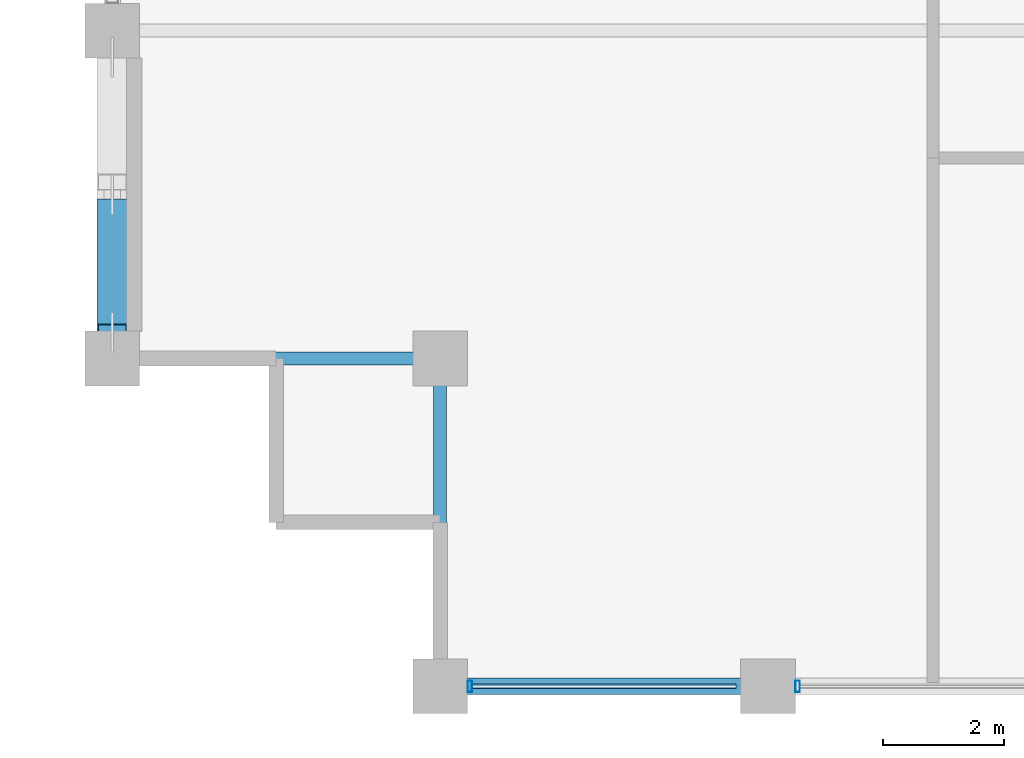
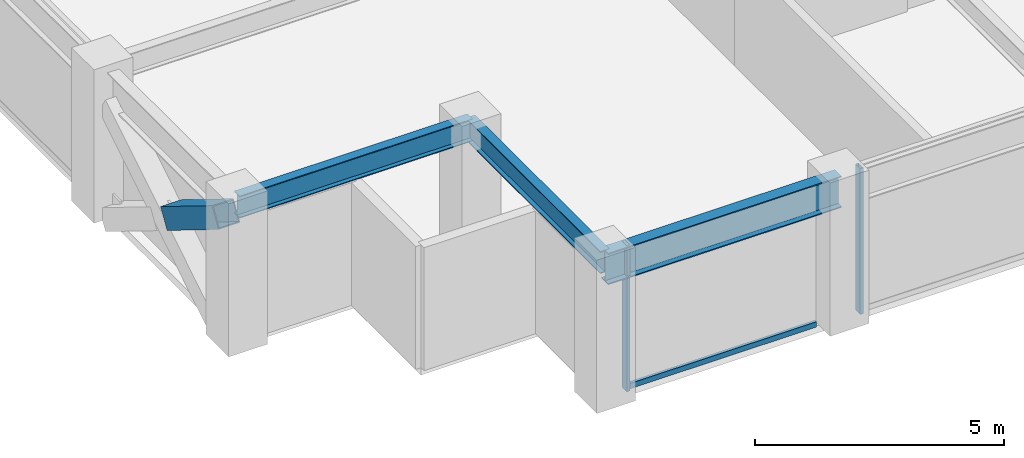
# One storey, part 2 of 32: 4 members, 3 beams, 1 element without a shape of its own.
"""IFC4 building model written with IfcOpenShell, lengths in metres."""

from ifc_helpers import new_model, si_unit, direction, frame, origin, origin_2d, place, context, subcontext, project, spatial, hollow_rectangle, i_section, extrude, material, layer, layer_set, material_profile, profile_set, type_object, element, aggregate, save


model = new_model("IFC4")

# Units and contexts
model_context = context("Model", 3, precision=1e-05, world=origin(), true_north=direction((0.0, 1.0)))
body_context = subcontext(model_context, "Body", "Model", "MODEL_VIEW")
ifc_project = project(units=[si_unit("LENGTHUNIT", "METRE"), si_unit("AREAUNIT", "SQUARE_METRE"), si_unit("VOLUMEUNIT", "CUBIC_METRE"), si_unit("PLANEANGLEUNIT", "RADIAN"), si_unit("MASSUNIT", "GRAM", prefix="KILO")], contexts=[model_context])

# Site, building, storey
site_placement = place(None, origin())
site = spatial("IfcSite", under=ifc_project, at=site_placement, CompositionType="ELEMENT")
building_placement = place(site_placement, origin())
building = spatial("IfcBuilding", under=site, at=building_placement, Name="Surkhivell Harbour Commons", CompositionType="ELEMENT")
storey_placement = place(building_placement, frame((0.0, 0.0, 186.0)))
storey = spatial("IfcBuildingStorey", under=building, at=storey_placement, Name="L48", CompositionType="ELEMENT", Elevation=186.0)

# Beams
ifc_material_1 = material(Name="Steel S355", Category="steel")
ifc_material_profile_1 = material_profile(ifc_material_1, i_section(OverallWidth=0.2119140625, OverallDepth=0.5439453125, WebThickness=0.0126953125, FlangeThickness=0.021240234375, at=origin_2d()), Name="UB533x210x122")
ifc_profile_set_1 = profile_set([ifc_material_profile_1], Name="Steel S355")
beam_type_1 = type_object("IfcBeamType", Name="BM-GRD-533A", PredefinedType="BEAM", material=ifc_profile_set_1)
beam_1_placement = place(storey_placement, frame((-27.0, -16.199951171875, 3.298095703125), z_axis=(1.0, 0.0, 0.0), x_axis=(0.0, 1.0, 0.0)))
element("IfcBeam", 1, at=beam_1_placement, inside=storey, type_object=beam_type_1, Name="L48 Floor Girder (-27.0,-16.2)", PredefinedType="BEAM", context=body_context, shape_type="SweptSolid", body=[
    extrude(i_section(OverallWidth=0.2119140625, OverallDepth=0.5439453125, WebThickness=0.0126953125, FlangeThickness=0.021240234375, at=origin_2d()), origin(), (0.0, 0.0, 1.0), 5.39990234375),
])
beam_2_placement = place(storey_placement, frame((-21.60009765625, -21.60009765625, 3.298095703125), z_axis=(0.0, 1.0, 0.0), x_axis=(-1.0, 0.0, 0.0)))
element("IfcBeam", 2, at=beam_2_placement, inside=storey, type_object=beam_type_1, Name="L48 Floor Girder (-21.6,-21.6)", PredefinedType="BEAM", context=body_context, shape_type="SweptSolid", body=[
    extrude(i_section(OverallWidth=0.2119140625, OverallDepth=0.5439453125, WebThickness=0.0126953125, FlangeThickness=0.021240234375, at=origin_2d()), origin(), (0.0, 0.0, 1.0), 5.400146484375),
])
ifc_material_profile_2 = material_profile(ifc_material_1, i_section(OverallWidth=0.26806640625, OverallDepth=0.77001953125, WebThickness=0.015625, FlangeThickness=0.025390625, at=origin_2d()), Name="UB762x267x197")
ifc_profile_set_2 = profile_set([ifc_material_profile_2], Name="Steel S355")
beam_type_2 = type_object("IfcBeamType", Name="BM-SPN-762", PredefinedType="SPANDREL", material=ifc_profile_set_2)
beam_3_placement = place(storey_placement, frame((-21.60009765625, -21.60009765625, 3.18505859375), z_axis=(1.0, 0.0, 0.0), x_axis=(0.0, 1.0, 0.0)))
element("IfcBeam", 3, at=beam_3_placement, inside=storey, type_object=beam_type_2, Name="L48 Tube Spandrel (-21.6,-21.6)", PredefinedType="SPANDREL", context=body_context, shape_type="SweptSolid", body=[
    extrude(i_section(OverallWidth=0.26806640625, OverallDepth=0.77001953125, WebThickness=0.015625, FlangeThickness=0.025390625, at=origin_2d()), origin(), (0.0, 0.0, 1.0), 5.400146484375),
])

# Curtain wall, members
ifc_material_2 = material(Name="Anodised pale-metal aluminium and insulated glazing", Category="aluminium")
ifc_layer = layer(ifc_material_2, 0.18994140625)
ifc_layer_set = layer_set([ifc_layer], Name="Anodised pale-metal aluminium and insulated glazing")
curtain_wall_type = type_object("IfcCurtainWallType", Name="CW-SYS-Z3", PredefinedType="NOTDEFINED", material=ifc_layer_set)
curtain_wall_placement = place(storey_placement, origin())
curtain_wall = element("IfcCurtainWall", 4, at=curtain_wall_placement, inside=storey, type_object=curtain_wall_type, Name="L48 Curtain Wall CW-L48-E00S1", PredefinedType="NOTDEFINED")
ifc_material_3 = material(Name="Anodised pale-metal aluminium alloy 6063-T6", Category="aluminium")
ifc_material_profile_3 = material_profile(ifc_material_3, hollow_rectangle(XDim=0.074951171875, YDim=0.18994140625, WallThickness=0.00390625, at=origin_2d()), Name="ALU-MULL-75x190")
ifc_profile_set_3 = profile_set([ifc_material_profile_3], Name="Anodised pale-metal aluminium alloy 6063-T6")
member_type_1 = type_object("IfcMemberType", Name="CWM-190", PredefinedType="MULLION", material=ifc_profile_set_3)
member_1_placement = place(storey_placement, frame((-21.110595703125, -21.60009765625, 0.0), z_axis=(0.0, 0.0, 1.0), x_axis=(1.0, 0.0, 0.0)))
member_1 = element("IfcMember", 5, at=member_1_placement, type_object=member_type_1, Name="CW-Z3 mullion 1", PredefinedType="MULLION", context=body_context, shape_type="SweptSolid", body=[
    extrude(hollow_rectangle(XDim=0.074951171875, YDim=0.18994140625, WallThickness=0.00390625, at=origin_2d()), origin(), (0.0, 0.0, 1.0), 3.570068359375),
])
member_2_placement = place(storey_placement, frame((-15.71044921875, -21.60009765625, 0.0), z_axis=(0.0, 0.0, 1.0), x_axis=(1.0, 0.0, 0.0)))
member_2 = element("IfcMember", 6, at=member_2_placement, type_object=member_type_1, Name="CW-Z3 mullion 2", PredefinedType="MULLION", context=body_context, shape_type="SweptSolid", body=[
    extrude(hollow_rectangle(XDim=0.074951171875, YDim=0.18994140625, WallThickness=0.00390625, at=origin_2d()), origin(), (0.0, 0.0, 1.0), 3.570068359375),
])
ifc_material_4 = material(Name="Champagne anodised aluminium alloy 6063-T6", Category="aluminium")
ifc_material_profile_4 = material_profile(ifc_material_4, hollow_rectangle(XDim=0.070068359375, YDim=0.1298828125, WallThickness=0.00341796875, at=origin_2d()), Name="ALU-TRAN-70x130")
ifc_profile_set_4 = profile_set([ifc_material_profile_4], Name="Champagne anodised aluminium alloy 6063-T6")
member_type_2 = type_object("IfcMemberType", Name="CWT-130", PredefinedType="USERDEFINED", material=ifc_profile_set_4)
member_3_placement = place(storey_placement, frame((-21.072998046875, -21.60009765625, 0.06494140625), z_axis=(1.0, 0.0, 0.0), x_axis=(0.0, 1.0, 0.0)))
member_3 = element("IfcMember", 7, at=member_3_placement, type_object=member_type_2, Name="CW-Z3 transom 1.1", ObjectType="TRANSOM", PredefinedType="USERDEFINED", context=body_context, shape_type="SweptSolid", body=[
    extrude(hollow_rectangle(XDim=0.070068359375, YDim=0.1298828125, WallThickness=0.00341796875, at=origin_2d()), origin(), (0.0, 0.0, 1.0), 4.345947265625),
])
aggregate(curtain_wall, [member_1, member_3, member_2])

# Member
ifc_material_5 = material(Name="Steel S460", Category="steel")
ifc_material_profile_5 = material_profile(ifc_material_5, hollow_rectangle(XDim=0.5, YDim=0.5, WallThickness=0.02490234375, at=origin_2d()), Name="SHS500x500x25")
ifc_profile_set_5 = profile_set([ifc_material_profile_5], Name="Steel S460")
member_type_3 = type_object("IfcMemberType", Name="MEM-BRC-SHS500", PredefinedType="BRACE", material=ifc_profile_set_5)
member_4_placement = place(storey_placement, frame((-27.0, -13.7041015625, 1.531982421875), z_axis=(0.0, -0.850958361341, 0.525233155146), x_axis=(1.0, 0.0, 0.0)))
element("IfcMember", 8, at=member_4_placement, inside=storey, type_object=member_type_3, Name="L48 Perimeter Mega-Brace MB- 12", PredefinedType="BRACE", context=body_context, shape_type="SweptSolid", body=[
    extrude(hollow_rectangle(XDim=0.5, YDim=0.5, WallThickness=0.02490234375, at=origin_2d()), origin(), (0.0, 0.0, 1.0), 2.421630859375),
])

save(model, "model.ifc")
